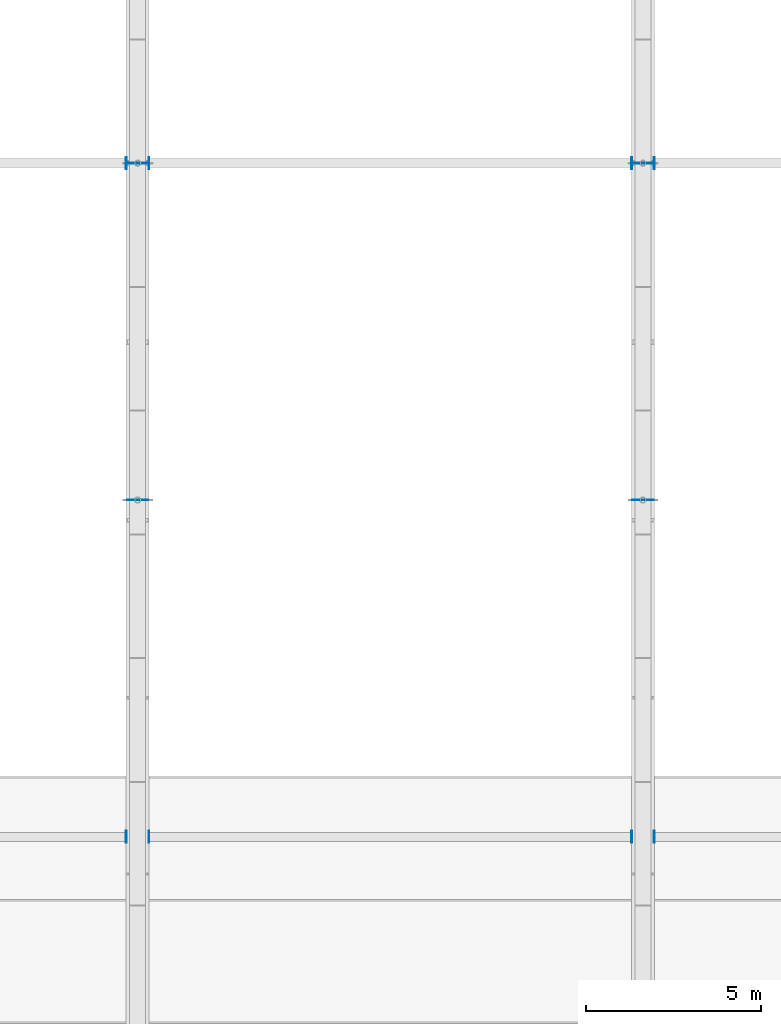
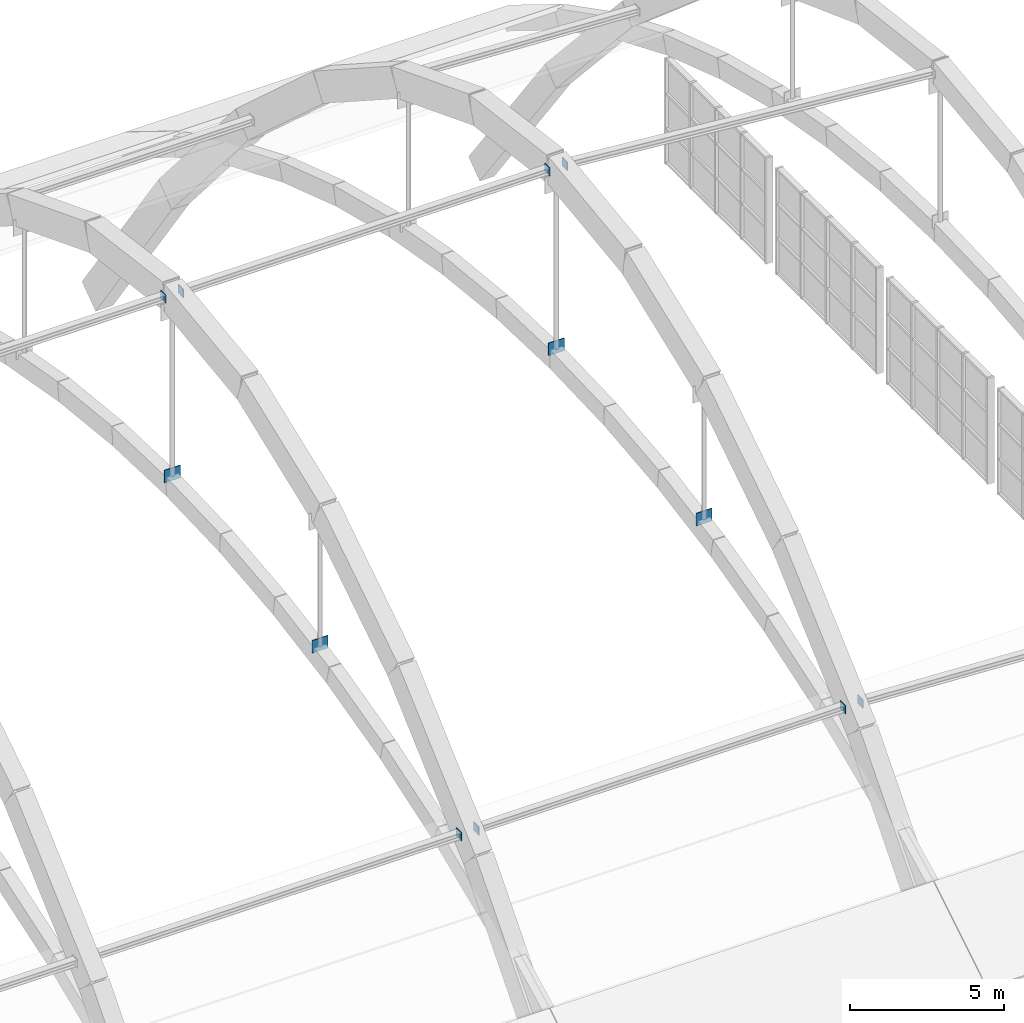
# One storey, part 51 of 64: 12 plates.
"""IFC4 building model written with IfcOpenShell, lengths in metres."""

import ifcopenshell
import ifcopenshell.guid

model = None  # the IFC model being written
_history = None  # IfcOwnerHistory: only IFC2X3 demands one
_inside = {}  # id of a spatial element -> (the spatial element, [elements in it])
_under = {}  # id of a project, library or spatial element -> (it, [spatial elements below it])
_declared = {}  # id of a project -> (the project, [libraries it declares])
_typed = {}  # id of a type object -> (the type object, [elements of that type])
_made_of = {}  # id of a material, layer set ... -> (it, [elements and type objects made of it])


def new_model(schema):
    """Start an empty IFC model of exactly this schema.

    Asked for "IFC4X3", IfcOpenShell would pick the latest addendum, in which some entities
    have other attributes; the version numbers below select the first issue.
    IFC2X3 requires an IfcOwnerHistory on every rooted entity: one is made here for all.
    """
    global model, _history
    if schema == "IFC4X3":
        model = ifcopenshell.file(schema_version=(4, 3, 0, 0))
    else:
        model = ifcopenshell.file(schema=schema)
    _inside.clear()
    _under.clear()
    _declared.clear()
    _typed.clear()
    _made_of.clear()
    _history = None
    if model.schema == "IFC2X3":
        org = make("IfcOrganization", Name="unknown")
        user = make(
            "IfcPersonAndOrganization",
            ThePerson=make("IfcPerson", FamilyName="unknown"),
            TheOrganization=org,
        )
        app = make(
            "IfcApplication",
            ApplicationDeveloper=org,
            Version="unknown",
            ApplicationFullName="unknown",
            ApplicationIdentifier="unknown",
        )
        _history = make(
            "IfcOwnerHistory",
            OwningUser=user,
            OwningApplication=app,
            ChangeAction="ADDED",
            CreationDate=0,
        )
    return model


def make(cls, **values):
    """One entity of the class cls with the attributes given. An attribute that is None is left unset."""
    return model.create_entity(
        cls, **{name: value for name, value in values.items() if value is not None}
    )


def rooted(cls, **values):
    """An entity with a GlobalId (a new one), such as an element, a storey or a relation."""
    return make(cls, GlobalId=ifcopenshell.guid.new(), OwnerHistory=_history, **values)


def si_unit(unit_type, name, prefix=None):
    """IfcSIUnit, for example si_unit("LENGTHUNIT", "METRE", prefix="MILLI")."""
    return make("IfcSIUnit", UnitType=unit_type, Prefix=prefix, Name=name)


def assignment(units):
    """IfcUnitAssignment: the units of a project."""
    return None if units is None else make("IfcUnitAssignment", Units=units)


def point(xyz):
    """IfcCartesianPoint."""
    return None if xyz is None else make("IfcCartesianPoint", Coordinates=xyz)


def direction(xyz):
    """IfcDirection."""
    return None if xyz is None else make("IfcDirection", DirectionRatios=xyz)


def frame(location, z_axis=None, x_axis=None):
    """IfcAxis2Placement3D, a coordinate frame: its origin and axes. An axis left out is left unset."""
    return make(
        "IfcAxis2Placement3D",
        Location=point(location),
        Axis=direction(z_axis),
        RefDirection=direction(x_axis),
    )


def frame_2d(location, x_axis=None):
    """IfcAxis2Placement2D, a coordinate frame in the plane: its origin and x axis."""
    return make(
        "IfcAxis2Placement2D", Location=point(location), RefDirection=direction(x_axis)
    )


def origin():
    """The frame at (0, 0, 0) with its axes left unset."""
    return frame((0.0, 0.0, 0.0))


def origin_2d():
    """The frame at (0, 0) in the plane with its x axis left unset."""
    return frame_2d((0.0, 0.0))


def place(relative_to, where):
    """IfcLocalPlacement: puts the frame where relative to a parent placement (None: the world)."""
    return make(
        "IfcLocalPlacement", PlacementRelTo=relative_to, RelativePlacement=where
    )


def context(
    kind, dimensions, precision=None, world=None, true_north=None, identifier=None
):
    """IfcGeometricRepresentationContext, for example the 3D "Model" context."""
    return make(
        "IfcGeometricRepresentationContext",
        ContextIdentifier=identifier,
        ContextType=kind,
        CoordinateSpaceDimension=dimensions,
        Precision=precision,
        WorldCoordinateSystem=world,
        TrueNorth=true_north,
    )


def subcontext(parent, identifier, kind, view, scale=None):
    """IfcGeometricRepresentationSubContext, for example "Body" below "Model"."""
    return make(
        "IfcGeometricRepresentationSubContext",
        ContextIdentifier=identifier,
        ContextType=kind,
        ParentContext=parent,
        TargetScale=scale,
        TargetView=view,
    )


def project(units=None, contexts=None):
    """IfcProject with its units and contexts."""
    return rooted(
        "IfcProject",
        Name="project",
        RepresentationContexts=contexts,
        UnitsInContext=assignment(units),
    )


def spatial(cls, under=None, at=None, **own):
    """A site, building, storey or space (cls), placed at a placement, below another one or the project."""
    s = rooted(cls, ObjectPlacement=at, **own)
    if under is not None:
        _under.setdefault(under.id(), (under, []))[1].append(s)
    return s


def profile(cls, at=None, kind="AREA", **sizes):
    """A parametric profile (cls). Its sizes go by their IFC names, for example OverallWidth=200.0."""
    return make(cls, ProfileType=kind, Position=at, **sizes)


def rectangle(**sizes):
    """IfcRectangleProfileDef."""
    return profile("IfcRectangleProfileDef", **sizes)


def extrude(swept, where, along, depth):
    """IfcExtrudedAreaSolid: the profile swept, set in the frame where, extruded along a direction by depth."""
    return make(
        "IfcExtrudedAreaSolid",
        SweptArea=swept,
        Position=where,
        ExtrudedDirection=direction(along),
        Depth=depth,
    )


def shape(context_of_items, identifier, shape_type, items):
    """IfcShapeRepresentation: the items that make up one representation, for example the "Body"."""
    return make(
        "IfcShapeRepresentation",
        ContextOfItems=context_of_items,
        RepresentationIdentifier=identifier,
        RepresentationType=shape_type,
        Items=items,
    )


def material(Name=None, Category=None):
    """IfcMaterial."""
    return make("IfcMaterial", Name=Name, Category=Category)


def layer(
    of_material, thickness, ventilated=None, Name=None, Category=None, Priority=None
):
    """IfcMaterialLayer: one layer of a wall or slab, of a material (None: an air gap)."""
    return make(
        "IfcMaterialLayer",
        Material=of_material,
        LayerThickness=thickness,
        IsVentilated=ventilated,
        Name=Name,
        Category=Category,
        Priority=Priority,
    )


def layer_set(layers, Name=None):
    """IfcMaterialLayerSet."""
    return make("IfcMaterialLayerSet", MaterialLayers=layers, LayerSetName=Name)


def made_of(thing, what):
    """Note that an element or type object is made of a material, layer set ...; save() writes the relation."""
    if what is not None:
        _made_of.setdefault(what.id(), (what, []))[1].append(thing)
    return thing


def type_object(cls, material=None, **own):
    """A type object (cls), such as IfcWallType, which elements share."""
    return made_of(rooted(cls, **own), material)


def element(
    cls,
    number,
    at=None,
    inside=None,
    cuts=None,
    type_object=None,
    material=None,
    context=None,
    identifier="Body",
    shape_type=None,
    held_by="IfcProductDefinitionShape",
    body=None,
    shapes=None,
    **own,
):
    """One element of the class cls, such as IfcWall. Its Tag is "e" and its number.

    at: its placement. inside: the storey or other place that contains it. cuts: it is an
    opening in that element (IfcRelVoidsElement). A single representation is given by context,
    identifier, shape_type and body (its items); several are given by shapes. held_by: the class
    of the entity that holds the representations. save() writes the other relations.
    """
    e = rooted(cls, Tag="e%d" % number, ObjectPlacement=at, **own)
    if body is not None:
        shapes = [shape(context, identifier, shape_type, body)]
    if shapes is not None:
        e.Representation = make(held_by, Representations=shapes)
    if inside is not None:
        _inside.setdefault(inside.id(), (inside, []))[1].append(e)
    if cuts is not None:
        rooted(
            "IfcRelVoidsElement", RelatingBuildingElement=cuts, RelatedOpeningElement=e
        )
    if type_object is not None:
        _typed.setdefault(type_object.id(), (type_object, []))[1].append(e)
    return made_of(e, material)


def aggregate(whole, parts):
    """IfcRelAggregates: a whole, such as a stair, and the parts it consists of."""
    return rooted("IfcRelAggregates", RelatingObject=whole, RelatedObjects=parts)


def save(model, path):
    """Write the relations noted so far, then the file.

    IfcRelAggregates (storeys below a building ...), IfcRelContainedInSpatialStructure (elements
    in a storey), IfcRelDefinesByType, IfcRelAssociatesMaterial and IfcRelDeclares: one each for
    every whole, place, type object, material and project.
    """
    for whole, parts in _under.values():
        aggregate(whole, parts)
    for where, things in _inside.values():
        rooted(
            "IfcRelContainedInSpatialStructure",
            RelatedElements=things,
            RelatingStructure=where,
        )
    for kind, things in _typed.values():
        rooted("IfcRelDefinesByType", RelatedObjects=things, RelatingType=kind)
    for what, things in _made_of.values():
        rooted("IfcRelAssociatesMaterial", RelatedObjects=things, RelatingMaterial=what)
    for by, libraries in _declared.values():
        rooted("IfcRelDeclares", RelatingContext=by, RelatedDefinitions=libraries)
    model.write(path)


model = new_model("IFC4")

# Units and contexts
model_context = context("Model", 3, precision=1e-05, world=origin(), true_north=direction((0.0, 1.0)))
body_context = subcontext(model_context, "Body", "Model", "MODEL_VIEW")
ifc_project = project(units=[si_unit("LENGTHUNIT", "METRE"), si_unit("AREAUNIT", "SQUARE_METRE"), si_unit("VOLUMEUNIT", "CUBIC_METRE"), si_unit("PLANEANGLEUNIT", "RADIAN"), si_unit("MASSUNIT", "GRAM", prefix="KILO")], contexts=[model_context])

# Site, building, storey
site_placement = place(None, origin())
site = spatial("IfcSite", under=ifc_project, at=site_placement, CompositionType="ELEMENT")
building_placement = place(site_placement, origin())
building = spatial("IfcBuilding", under=site, at=building_placement, Name="Leyfeld Transit Interchange", CompositionType="ELEMENT")
storey_placement = place(building_placement, frame((0.0, 0.0, 9.60009765625)))
storey = spatial("IfcBuildingStorey", under=building, at=storey_placement, Name="L02", CompositionType="ELEMENT", Elevation=9.60009765625)

# Plates
ifc_material = material(Name="Steel S355J2", Category="steel")
ifc_layer_1 = layer(ifc_material, 0.02490234375, Name="Steel S355J2")
ifc_layer_set_1 = layer_set([ifc_layer_1], Name="Steel S355J2")
plate_type_1 = type_object("IfcPlateType", Name="PLT-CAP-25", PredefinedType="USERDEFINED", material=ifc_layer_set_1)
for number, where, z_axis, x_axis, name in (
    (1, (71.675048828125, 13.199951171875, 5.166015625), (0.0, 0.0, 1.0), (0.0, 1.0, 0.0), "Arch Tie Chord East End Plate B5 T1"),
    (2, (71.675048828125, 32.39990234375, 14.830078125), (0.0, 0.0, 1.0), (0.0, 1.0, 0.0), "Arch Tie Chord East End Plate B5 T2"),
    (3, (72.324951171875, 13.199951171875, 5.166015625), (0.0, 0.0, 1.0), (0.0, 1.0, 0.0), "Arch Tie Chord West End Plate B6 T1"),
    (4, (86.074951171875, 13.199951171875, 5.166015625), (0.0, 0.0, 1.0), (0.0, 1.0, 0.0), "Arch Tie Chord East End Plate B6 T1"),
    (5, (72.324951171875, 32.39990234375, 14.830078125), (0.0, 0.0, 1.0), (0.0, 1.0, 0.0), "Arch Tie Chord West End Plate B6 T2"),
    (6, (86.074951171875, 32.39990234375, 14.830078125), (0.0, 0.0, 1.0), (0.0, 1.0, 0.0), "Arch Tie Chord East End Plate B6 T2"),
    (7, (86.72509765625, 13.199951171875, 5.166015625), (0.0, 0.0, 1.0), (0.0, 1.0, 0.0), "Arch Tie Chord West End Plate B7 T1"),
    (8, (86.72509765625, 32.39990234375, 14.830078125), (0.0, 0.0, 1.0), (0.0, 1.0, 0.0), "Arch Tie Chord West End Plate B7 T2"),
):
    element("IfcPlate", number, at=place(storey_placement, frame(where, z_axis=z_axis, x_axis=x_axis)), inside=storey, type_object=plate_type_1, Name=name, ObjectType="FLANGE_PLATE", PredefinedType="USERDEFINED", context=body_context, shape_type="SweptSolid", body=[
        extrude(rectangle(XDim=0.340087890625, YDim=0.02490234375, at=origin_2d()), origin(), (0.0, 0.0, 1.0), 0.340087890625),
    ])
ifc_layer_2 = layer(ifc_material, 0.02490234375, Name="Steel S355J2")
ifc_layer_set_2 = layer_set([ifc_layer_2], Name="Steel S355J2")
plate_type_2 = type_object("IfcPlateType", Name="PLT-GUS-25", PredefinedType="SHEET", material=ifc_layer_set_2)
for number, where, z_axis, x_axis, name in (
    (9, (72.0, 22.800048828125, 6.68505859375), (0.0, 0.0, 1.0), (1.0, 0.0, 0.0), "Hanger Lower Clevis Plate AR-05 H3"),
    (10, (72.0, 32.39990234375, 7.615234375), (0.0, 0.0, 1.0), (1.0, 0.0, 0.0), "Hanger Lower Clevis Plate AR-05 H4"),
    (11, (86.39990234375, 22.800048828125, 6.68505859375), (0.0, 0.0, 1.0), (1.0, 0.0, 0.0), "Hanger Lower Clevis Plate AR-06 H3"),
    (12, (86.39990234375, 32.39990234375, 7.615234375), (0.0, 0.0, 1.0), (1.0, 0.0, 0.0), "Hanger Lower Clevis Plate AR-06 H4"),
):
    element("IfcPlate", number, at=place(storey_placement, frame(where, z_axis=z_axis, x_axis=x_axis)), inside=storey, type_object=plate_type_2, Name=name, PredefinedType="SHEET", context=body_context, shape_type="SweptSolid", body=[
        extrude(rectangle(XDim=0.60009765625, YDim=0.02490234375, at=origin_2d()), origin(), (0.0, 0.0, 1.0), 0.5),
    ])

save(model, "model.ifc")
